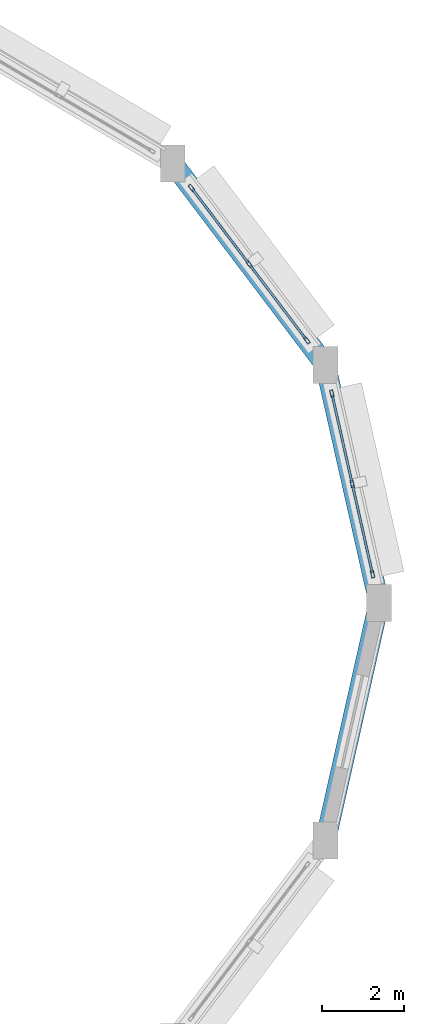
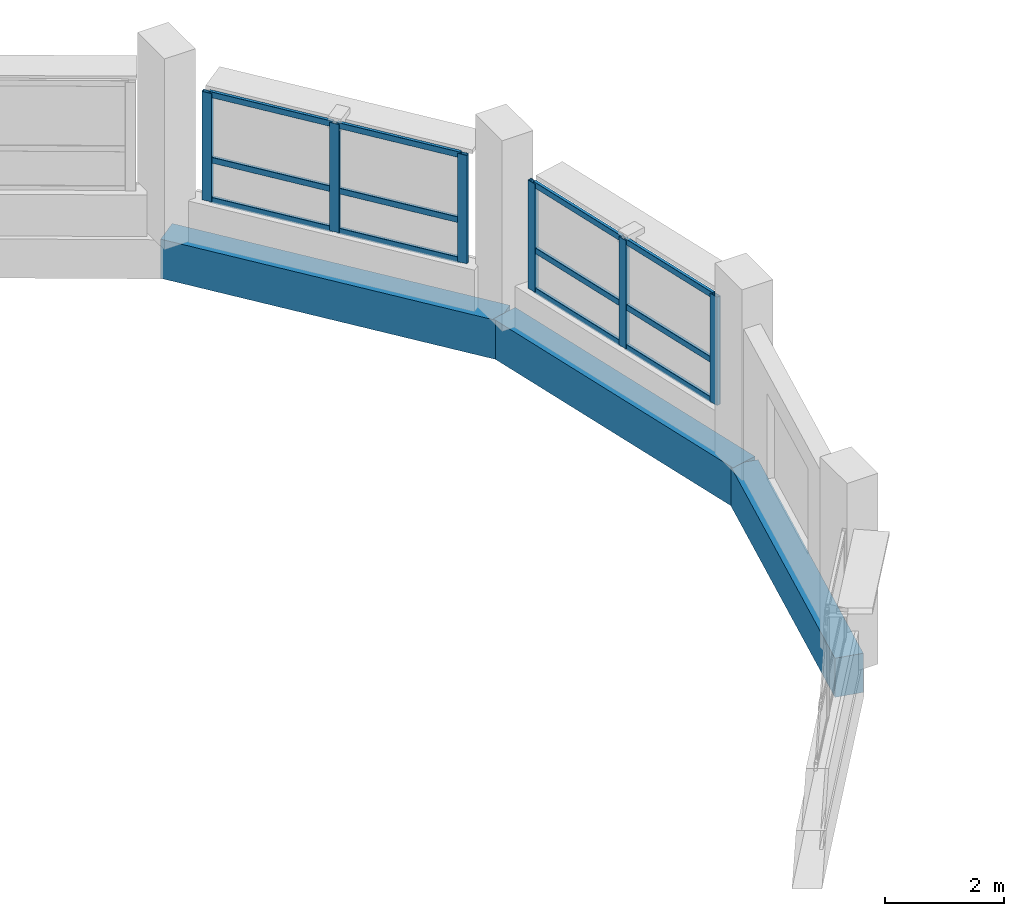
# One storey, part 84 of 121: 18 members, 3 beams, 2 elements without a shape of their own.
"""IFC4 building model written with IfcOpenShell, lengths in metres."""

from ifc_helpers import new_model, si_unit, direction, frame, origin, origin_2d, place, context, subcontext, project, spatial, rectangle, hollow_rectangle, extrude, material, layer, layer_set, material_profile, profile_set, type_object, element, aggregate, save


model = new_model("IFC4")

# Units and contexts
model_context = context("Model", 3, precision=1e-05, world=origin(), true_north=direction((0.0, 1.0)))
body_context = subcontext(model_context, "Body", "Model", "MODEL_VIEW")
ifc_project = project(units=[si_unit("LENGTHUNIT", "METRE"), si_unit("AREAUNIT", "SQUARE_METRE"), si_unit("VOLUMEUNIT", "CUBIC_METRE"), si_unit("PLANEANGLEUNIT", "RADIAN"), si_unit("MASSUNIT", "GRAM", prefix="KILO")], contexts=[model_context])

# Site, building, storey
site_placement = place(None, origin())
site = spatial("IfcSite", under=ifc_project, at=site_placement, CompositionType="ELEMENT")
building_placement = place(site_placement, origin())
building = spatial("IfcBuilding", under=site, at=building_placement, Name="Vespera Passage Community Centre", CompositionType="ELEMENT")
storey_placement = place(building_placement, frame((0.0, 0.0, 8.699951171875)))
storey = spatial("IfcBuildingStorey", under=building, at=storey_placement, Name="L02", CompositionType="ELEMENT", Elevation=8.699951171875)

# Beams
ifc_material_1 = material(Name="Concrete f'c 35 MPa", Category="concrete")
ifc_material_profile_1 = material_profile(ifc_material_1, rectangle(XDim=0.5, YDim=0.800048828125, at=origin_2d()), Name="RC500X800")
ifc_profile_set_1 = profile_set([ifc_material_profile_1], Name="Concrete f'c 35 MPa")
beam_type = type_object("IfcBeamType", Name="BM-SP-500X800E", PredefinedType="SPANDREL", material=ifc_profile_set_1)
beam_1_placement = place(storey_placement, frame((160.10009765625, 89.5, -0.39990234375), z_axis=(-0.219766204697, 0.9755525692, 0.0), x_axis=(-0.9755525692, -0.219766204697, 0.0)))
element("IfcBeam", 1, at=beam_1_placement, inside=storey, type_object=beam_type, Name="V2 L02 Perimeter Spandrel 1", PredefinedType="SPANDREL", context=body_context, shape_type="SweptSolid", body=[
    extrude(rectangle(XDim=0.5, YDim=0.800048828125, at=origin_2d()), origin(), (0.0, 0.0, 1.0), 5.92333984375),
])
beam_2_placement = place(storey_placement, frame((158.79833984375, 95.278564453125, -0.39990234375), z_axis=(-0.603409203322, 0.797431710773, 0.0), x_axis=(-0.797431710773, -0.603409203322, 0.0)))
element("IfcBeam", 2, at=beam_2_placement, inside=storey, type_object=beam_type, Name="V2 L02 Perimeter Spandrel 2", PredefinedType="SPANDREL", context=body_context, shape_type="SweptSolid", body=[
    extrude(rectangle(XDim=0.5, YDim=0.800048828125, at=origin_2d()), origin(), (0.0, 0.0, 1.0), 6.14306640625),
])
beam_3_placement = place(storey_placement, frame((158.79833984375, 83.721435546875, -0.39990234375), z_axis=(0.219766204697, 0.9755525692, 0.0), x_axis=(-0.9755525692, 0.219766204697, 0.0)))
element("IfcBeam", 3, at=beam_3_placement, inside=storey, type_object=beam_type, Name="V2 L02 Perimeter Spandrel 16", PredefinedType="SPANDREL", context=body_context, shape_type="SweptSolid", body=[
    extrude(rectangle(XDim=0.5, YDim=0.800048828125, at=origin_2d()), origin(), (0.0, 0.0, 1.0), 5.92333984375),
])

# Curtain wall, members
ifc_material_2 = material(Name="Anodized aluminium 6063-T6", Category="aluminium")
ifc_layer_1 = layer(ifc_material_2, 0.159912109375)
ifc_layer_set_1 = layer_set([ifc_layer_1], Name="Anodized aluminium 6063-T6")
curtain_wall_type_1 = type_object("IfcCurtainWallType", Name="CW-97E", PredefinedType="NOTDEFINED", material=ifc_layer_set_1)
curtain_wall_1_placement = place(storey_placement, origin())
curtain_wall_1 = element("IfcCurtainWall", 4, at=curtain_wall_1_placement, inside=storey, type_object=curtain_wall_type_1, Name="Sports Drum Ribbon Curtain Wall L02.1", PredefinedType="NOTDEFINED")
ifc_material_3 = material(Name="Anodized aluminium 6063-T6", Category="aluminium")
ifc_material_profile_2 = material_profile(ifc_material_3, hollow_rectangle(XDim=0.074951171875, YDim=0.179931640625, WallThickness=0.0048828125, InnerFilletRadius=0.00244140625, OuterFilletRadius=0.0048828125, at=origin_2d()), Name="ALU180X75X5")
ifc_profile_set_2 = profile_set([ifc_material_profile_2], Name="Anodized aluminium 6063-T6")
member_type_1 = type_object("IfcMemberType", Name="MB-CWM-180E", PredefinedType="MULLION", material=ifc_profile_set_2)
member_1_placement = place(storey_placement, frame((158.955078125, 94.582275390625, 0.85009765625), z_axis=(0.0, 0.0, 1.0), x_axis=(0.975553383073, 0.219762591846, 0.0)))
member_1 = element("IfcMember", 5, at=member_1_placement, type_object=member_type_1, Name="CW-97E mullion 1", PredefinedType="MULLION", context=body_context, shape_type="SweptSolid", body=[
    extrude(hollow_rectangle(XDim=0.074951171875, YDim=0.179931640625, WallThickness=0.0048828125, InnerFilletRadius=0.00244140625, OuterFilletRadius=0.0048828125, at=origin_2d()), origin(), (0.0, 0.0, 1.0), 2.21484375),
])
member_2_placement = place(storey_placement, frame((159.44921875, 92.38916015625, 0.85009765625), z_axis=(0.0, 0.0, 1.0), x_axis=(0.975553383073, 0.219762591846, 0.0)))
member_2 = element("IfcMember", 6, at=member_2_placement, type_object=member_type_1, Name="CW-97E mullion 2", PredefinedType="MULLION", context=body_context, shape_type="SweptSolid", body=[
    extrude(hollow_rectangle(XDim=0.074951171875, YDim=0.179931640625, WallThickness=0.0048828125, InnerFilletRadius=0.00244140625, OuterFilletRadius=0.0048828125, at=origin_2d()), origin(), (0.0, 0.0, 1.0), 2.21484375),
])
member_3_placement = place(storey_placement, frame((159.943115234375, 90.1962890625, 0.85009765625), z_axis=(0.0, 0.0, 1.0), x_axis=(0.975553383073, 0.219762591846, 0.0)))
member_3 = element("IfcMember", 7, at=member_3_placement, type_object=member_type_1, Name="CW-97E mullion 3", PredefinedType="MULLION", context=body_context, shape_type="SweptSolid", body=[
    extrude(hollow_rectangle(XDim=0.074951171875, YDim=0.179931640625, WallThickness=0.0048828125, InnerFilletRadius=0.00244140625, OuterFilletRadius=0.0048828125, at=origin_2d()), origin(), (0.0, 0.0, 1.0), 2.21484375),
])

ifc_material_4 = material(Name="Anodized aluminium 6063-T6", Category="aluminium")
ifc_layer_2 = layer(ifc_material_4, 0.159912109375)
ifc_layer_set_2 = layer_set([ifc_layer_2], Name="Anodized aluminium 6063-T6")
curtain_wall_type_2 = type_object("IfcCurtainWallType", Name="CW-98E", PredefinedType="NOTDEFINED", material=ifc_layer_set_2)
curtain_wall_2_placement = place(storey_placement, origin())
curtain_wall_2 = element("IfcCurtainWall", 8, at=curtain_wall_2_placement, inside=storey, type_object=curtain_wall_type_2, Name="Sports Drum Ribbon Curtain Wall L02.2", PredefinedType="NOTDEFINED")
member_4_placement = place(storey_placement, frame((155.5439453125, 99.57958984375, 0.85009765625), z_axis=(0.0, 0.0, 1.0), x_axis=(0.797434495654, 0.603405522961, 0.0)))
member_4 = element("IfcMember", 9, at=member_4_placement, type_object=member_type_1, Name="CW-98E mullion 1", PredefinedType="MULLION", context=body_context, shape_type="SweptSolid", body=[
    extrude(hollow_rectangle(XDim=0.074951171875, YDim=0.179931640625, WallThickness=0.0048828125, InnerFilletRadius=0.00244140625, OuterFilletRadius=0.0048828125, at=origin_2d()), origin(), (0.0, 0.0, 1.0), 2.21484375),
])
member_5_placement = place(storey_placement, frame((156.94482421875, 97.727783203125, 0.85009765625), z_axis=(0.0, 0.0, 1.0), x_axis=(0.797434495654, 0.603405522961, 0.0)))
member_5 = element("IfcMember", 10, at=member_5_placement, type_object=member_type_1, Name="CW-98E mullion 2", PredefinedType="MULLION", context=body_context, shape_type="SweptSolid", body=[
    extrude(hollow_rectangle(XDim=0.074951171875, YDim=0.179931640625, WallThickness=0.0048828125, InnerFilletRadius=0.00244140625, OuterFilletRadius=0.0048828125, at=origin_2d()), origin(), (0.0, 0.0, 1.0), 2.21484375),
])
member_6_placement = place(storey_placement, frame((158.345947265625, 95.876220703125, 0.85009765625), z_axis=(0.0, 0.0, 1.0), x_axis=(0.797434495654, 0.603405522961, 0.0)))
member_6 = element("IfcMember", 11, at=member_6_placement, type_object=member_type_1, Name="CW-98E mullion 3", PredefinedType="MULLION", context=body_context, shape_type="SweptSolid", body=[
    extrude(hollow_rectangle(XDim=0.074951171875, YDim=0.179931640625, WallThickness=0.0048828125, InnerFilletRadius=0.00244140625, OuterFilletRadius=0.0048828125, at=origin_2d()), origin(), (0.0, 0.0, 1.0), 2.21484375),
])

# Member
ifc_material_5 = material(Name="Anodized aluminium 6063-T6", Category="aluminium")
ifc_material_profile_3 = material_profile(ifc_material_5, hollow_rectangle(XDim=0.06005859375, YDim=0.1201171875, WallThickness=0.00390625, InnerFilletRadius=0.001953125, OuterFilletRadius=0.00390625, at=origin_2d()), Name="ALU120X60X4")
ifc_profile_set_3 = profile_set([ifc_material_profile_3], Name="Anodized aluminium 6063-T6")
member_type_2 = type_object("IfcMemberType", Name="MB-CWT-120E", PredefinedType="USERDEFINED", material=ifc_profile_set_3)
member_7_placement = place(storey_placement, frame((158.96337890625, 94.545654296875, 0.880126953125), z_axis=(0.219760819775, -0.975553782265, 0.0), x_axis=(0.975553782265, 0.219760819775, 0.0)))
member_7 = element("IfcMember", 12, at=member_7_placement, type_object=member_type_2, Name="CW-97E transom 1.1", ObjectType="TRANSOM", PredefinedType="USERDEFINED", context=body_context, shape_type="SweptSolid", body=[
    extrude(hollow_rectangle(XDim=0.06005859375, YDim=0.1201171875, WallThickness=0.00390625, InnerFilletRadius=0.001953125, OuterFilletRadius=0.00390625, at=origin_2d()), origin(), (0.0, 0.0, 1.0), 2.173095703125),
])

member_8_placement = place(storey_placement, frame((158.96337890625, 94.545654296875, 1.699951171875), z_axis=(0.219760819775, -0.975553782265, 0.0), x_axis=(0.975553782265, 0.219760819775, 0.0)))
member_8 = element("IfcMember", 13, at=member_8_placement, type_object=member_type_2, Name="CW-97E transom 1.2", ObjectType="TRANSOM", PredefinedType="USERDEFINED", context=body_context, shape_type="SweptSolid", body=[
    extrude(hollow_rectangle(XDim=0.06005859375, YDim=0.1201171875, WallThickness=0.00390625, InnerFilletRadius=0.001953125, OuterFilletRadius=0.00390625, at=origin_2d()), origin(), (0.0, 0.0, 1.0), 2.173095703125),
])

member_9_placement = place(storey_placement, frame((158.96337890625, 94.545654296875, 3.03515625), z_axis=(0.219760819775, -0.975553782265, 0.0), x_axis=(0.975553782265, 0.219760819775, 0.0)))
member_9 = element("IfcMember", 14, at=member_9_placement, type_object=member_type_2, Name="CW-97E transom 1.3", ObjectType="TRANSOM", PredefinedType="USERDEFINED", context=body_context, shape_type="SweptSolid", body=[
    extrude(hollow_rectangle(XDim=0.06005859375, YDim=0.1201171875, WallThickness=0.00390625, InnerFilletRadius=0.001953125, OuterFilletRadius=0.00390625, at=origin_2d()), origin(), (0.0, 0.0, 1.0), 2.173095703125),
])

member_10_placement = place(storey_placement, frame((159.457275390625, 92.352783203125, 0.880126953125), z_axis=(0.219760819775, -0.975553782265, 0.0), x_axis=(0.975553782265, 0.219760819775, 0.0)))
member_10 = element("IfcMember", 15, at=member_10_placement, type_object=member_type_2, Name="CW-97E transom 2.1", ObjectType="TRANSOM", PredefinedType="USERDEFINED", context=body_context, shape_type="SweptSolid", body=[
    extrude(hollow_rectangle(XDim=0.06005859375, YDim=0.1201171875, WallThickness=0.00390625, InnerFilletRadius=0.001953125, OuterFilletRadius=0.00390625, at=origin_2d()), origin(), (0.0, 0.0, 1.0), 2.173095703125),
])

member_11_placement = place(storey_placement, frame((159.457275390625, 92.352783203125, 1.699951171875), z_axis=(0.219760819775, -0.975553782265, 0.0), x_axis=(0.975553782265, 0.219760819775, 0.0)))
member_11 = element("IfcMember", 16, at=member_11_placement, type_object=member_type_2, Name="CW-97E transom 2.2", ObjectType="TRANSOM", PredefinedType="USERDEFINED", context=body_context, shape_type="SweptSolid", body=[
    extrude(hollow_rectangle(XDim=0.06005859375, YDim=0.1201171875, WallThickness=0.00390625, InnerFilletRadius=0.001953125, OuterFilletRadius=0.00390625, at=origin_2d()), origin(), (0.0, 0.0, 1.0), 2.173095703125),
])

member_12_placement = place(storey_placement, frame((159.457275390625, 92.352783203125, 3.03515625), z_axis=(0.219760819775, -0.975553782265, 0.0), x_axis=(0.975553782265, 0.219760819775, 0.0)))
member_12 = element("IfcMember", 17, at=member_12_placement, type_object=member_type_2, Name="CW-97E transom 2.3", ObjectType="TRANSOM", PredefinedType="USERDEFINED", context=body_context, shape_type="SweptSolid", body=[
    extrude(hollow_rectangle(XDim=0.06005859375, YDim=0.1201171875, WallThickness=0.00390625, InnerFilletRadius=0.001953125, OuterFilletRadius=0.00390625, at=origin_2d()), origin(), (0.0, 0.0, 1.0), 2.173095703125),
])

aggregate(curtain_wall_1, [member_1, member_2, member_3, member_7, member_8, member_9, member_10, member_11, member_12])

member_13_placement = place(storey_placement, frame((155.56640625, 99.549560546875, 0.880126953125), z_axis=(0.603453873456, -0.797397907328, 0.0), x_axis=(0.797397907328, 0.603453873456, 0.0)))
member_13 = element("IfcMember", 18, at=member_13_placement, type_object=member_type_2, Name="CW-98E transom 1.1", ObjectType="TRANSOM", PredefinedType="USERDEFINED", context=body_context, shape_type="SweptSolid", body=[
    extrude(hollow_rectangle(XDim=0.06005859375, YDim=0.1201171875, WallThickness=0.00390625, InnerFilletRadius=0.001953125, OuterFilletRadius=0.00390625, at=origin_2d()), origin(), (0.0, 0.0, 1.0), 2.2470703125),
])

member_14_placement = place(storey_placement, frame((155.56640625, 99.549560546875, 1.699951171875), z_axis=(0.603453873456, -0.797397907328, 0.0), x_axis=(0.797397907328, 0.603453873456, 0.0)))
member_14 = element("IfcMember", 19, at=member_14_placement, type_object=member_type_2, Name="CW-98E transom 1.2", ObjectType="TRANSOM", PredefinedType="USERDEFINED", context=body_context, shape_type="SweptSolid", body=[
    extrude(hollow_rectangle(XDim=0.06005859375, YDim=0.1201171875, WallThickness=0.00390625, InnerFilletRadius=0.001953125, OuterFilletRadius=0.00390625, at=origin_2d()), origin(), (0.0, 0.0, 1.0), 2.2470703125),
])

member_15_placement = place(storey_placement, frame((155.56640625, 99.549560546875, 3.03515625), z_axis=(0.603453873456, -0.797397907328, 0.0), x_axis=(0.797397907328, 0.603453873456, 0.0)))
member_15 = element("IfcMember", 20, at=member_15_placement, type_object=member_type_2, Name="CW-98E transom 1.3", ObjectType="TRANSOM", PredefinedType="USERDEFINED", context=body_context, shape_type="SweptSolid", body=[
    extrude(hollow_rectangle(XDim=0.06005859375, YDim=0.1201171875, WallThickness=0.00390625, InnerFilletRadius=0.001953125, OuterFilletRadius=0.00390625, at=origin_2d()), origin(), (0.0, 0.0, 1.0), 2.2470703125),
])

member_16_placement = place(storey_placement, frame((156.967529296875, 97.697998046875, 0.880126953125), z_axis=(0.603384780926, -0.797450190386, 0.0), x_axis=(0.797450190386, 0.603384780926, 0.0)))
member_16 = element("IfcMember", 21, at=member_16_placement, type_object=member_type_2, Name="CW-98E transom 2.1", ObjectType="TRANSOM", PredefinedType="USERDEFINED", context=body_context, shape_type="SweptSolid", body=[
    extrude(hollow_rectangle(XDim=0.06005859375, YDim=0.1201171875, WallThickness=0.00390625, InnerFilletRadius=0.001953125, OuterFilletRadius=0.00390625, at=origin_2d()), origin(), (0.0, 0.0, 1.0), 2.246826171875),
])

member_17_placement = place(storey_placement, frame((156.967529296875, 97.697998046875, 1.699951171875), z_axis=(0.603384780926, -0.797450190386, 0.0), x_axis=(0.797450190386, 0.603384780926, 0.0)))
member_17 = element("IfcMember", 22, at=member_17_placement, type_object=member_type_2, Name="CW-98E transom 2.2", ObjectType="TRANSOM", PredefinedType="USERDEFINED", context=body_context, shape_type="SweptSolid", body=[
    extrude(hollow_rectangle(XDim=0.06005859375, YDim=0.1201171875, WallThickness=0.00390625, InnerFilletRadius=0.001953125, OuterFilletRadius=0.00390625, at=origin_2d()), origin(), (0.0, 0.0, 1.0), 2.246826171875),
])

member_18_placement = place(storey_placement, frame((156.967529296875, 97.697998046875, 3.03515625), z_axis=(0.603384780926, -0.797450190386, 0.0), x_axis=(0.797450190386, 0.603384780926, 0.0)))
member_18 = element("IfcMember", 23, at=member_18_placement, type_object=member_type_2, Name="CW-98E transom 2.3", ObjectType="TRANSOM", PredefinedType="USERDEFINED", context=body_context, shape_type="SweptSolid", body=[
    extrude(hollow_rectangle(XDim=0.06005859375, YDim=0.1201171875, WallThickness=0.00390625, InnerFilletRadius=0.001953125, OuterFilletRadius=0.00390625, at=origin_2d()), origin(), (0.0, 0.0, 1.0), 2.246826171875),
])

aggregate(curtain_wall_2, [member_4, member_5, member_6, member_13, member_14, member_15, member_16, member_17, member_18])

save(model, "model.ifc")
